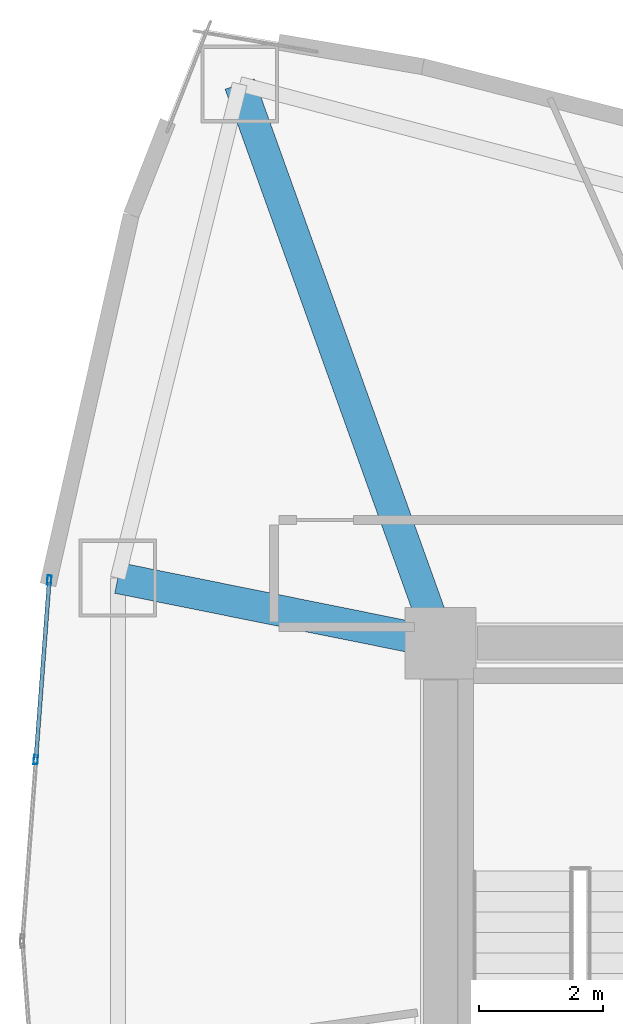
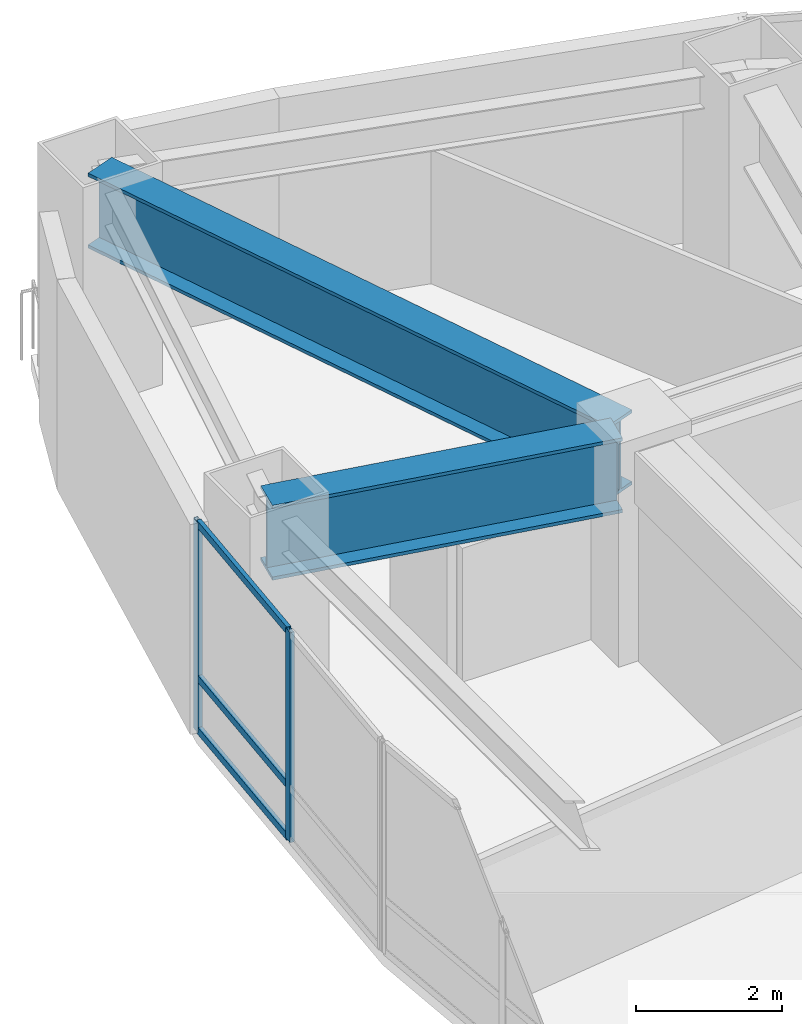
# One storey, part 7 of 17: 5 members, 2 beams, 1 element without a shape of its own.
"""IFC4 building model written with IfcOpenShell, lengths in metres."""

import ifcopenshell
import ifcopenshell.guid

model = None  # the IFC model being written
_history = None  # IfcOwnerHistory: only IFC2X3 demands one
_inside = {}  # id of a spatial element -> (the spatial element, [elements in it])
_under = {}  # id of a project, library or spatial element -> (it, [spatial elements below it])
_declared = {}  # id of a project -> (the project, [libraries it declares])
_typed = {}  # id of a type object -> (the type object, [elements of that type])
_made_of = {}  # id of a material, layer set ... -> (it, [elements and type objects made of it])


def new_model(schema):
    """Start an empty IFC model of exactly this schema.

    Asked for "IFC4X3", IfcOpenShell would pick the latest addendum, in which some entities
    have other attributes; the version numbers below select the first issue.
    IFC2X3 requires an IfcOwnerHistory on every rooted entity: one is made here for all.
    """
    global model, _history
    if schema == "IFC4X3":
        model = ifcopenshell.file(schema_version=(4, 3, 0, 0))
    else:
        model = ifcopenshell.file(schema=schema)
    _inside.clear()
    _under.clear()
    _declared.clear()
    _typed.clear()
    _made_of.clear()
    _history = None
    if model.schema == "IFC2X3":
        org = make("IfcOrganization", Name="unknown")
        user = make(
            "IfcPersonAndOrganization",
            ThePerson=make("IfcPerson", FamilyName="unknown"),
            TheOrganization=org,
        )
        app = make(
            "IfcApplication",
            ApplicationDeveloper=org,
            Version="unknown",
            ApplicationFullName="unknown",
            ApplicationIdentifier="unknown",
        )
        _history = make(
            "IfcOwnerHistory",
            OwningUser=user,
            OwningApplication=app,
            ChangeAction="ADDED",
            CreationDate=0,
        )
    return model


def make(cls, **values):
    """One entity of the class cls with the attributes given. An attribute that is None is left unset."""
    return model.create_entity(
        cls, **{name: value for name, value in values.items() if value is not None}
    )


def rooted(cls, **values):
    """An entity with a GlobalId (a new one), such as an element, a storey or a relation."""
    return make(cls, GlobalId=ifcopenshell.guid.new(), OwnerHistory=_history, **values)


def si_unit(unit_type, name, prefix=None):
    """IfcSIUnit, for example si_unit("LENGTHUNIT", "METRE", prefix="MILLI")."""
    return make("IfcSIUnit", UnitType=unit_type, Prefix=prefix, Name=name)


def assignment(units):
    """IfcUnitAssignment: the units of a project."""
    return None if units is None else make("IfcUnitAssignment", Units=units)


def point(xyz):
    """IfcCartesianPoint."""
    return None if xyz is None else make("IfcCartesianPoint", Coordinates=xyz)


def direction(xyz):
    """IfcDirection."""
    return None if xyz is None else make("IfcDirection", DirectionRatios=xyz)


def frame(location, z_axis=None, x_axis=None):
    """IfcAxis2Placement3D, a coordinate frame: its origin and axes. An axis left out is left unset."""
    return make(
        "IfcAxis2Placement3D",
        Location=point(location),
        Axis=direction(z_axis),
        RefDirection=direction(x_axis),
    )


def frame_2d(location, x_axis=None):
    """IfcAxis2Placement2D, a coordinate frame in the plane: its origin and x axis."""
    return make(
        "IfcAxis2Placement2D", Location=point(location), RefDirection=direction(x_axis)
    )


def origin():
    """The frame at (0, 0, 0) with its axes left unset."""
    return frame((0.0, 0.0, 0.0))


def origin_2d():
    """The frame at (0, 0) in the plane with its x axis left unset."""
    return frame_2d((0.0, 0.0))


def place(relative_to, where):
    """IfcLocalPlacement: puts the frame where relative to a parent placement (None: the world)."""
    return make(
        "IfcLocalPlacement", PlacementRelTo=relative_to, RelativePlacement=where
    )


def context(
    kind, dimensions, precision=None, world=None, true_north=None, identifier=None
):
    """IfcGeometricRepresentationContext, for example the 3D "Model" context."""
    return make(
        "IfcGeometricRepresentationContext",
        ContextIdentifier=identifier,
        ContextType=kind,
        CoordinateSpaceDimension=dimensions,
        Precision=precision,
        WorldCoordinateSystem=world,
        TrueNorth=true_north,
    )


def subcontext(parent, identifier, kind, view, scale=None):
    """IfcGeometricRepresentationSubContext, for example "Body" below "Model"."""
    return make(
        "IfcGeometricRepresentationSubContext",
        ContextIdentifier=identifier,
        ContextType=kind,
        ParentContext=parent,
        TargetScale=scale,
        TargetView=view,
    )


def project(units=None, contexts=None):
    """IfcProject with its units and contexts."""
    return rooted(
        "IfcProject",
        Name="project",
        RepresentationContexts=contexts,
        UnitsInContext=assignment(units),
    )


def spatial(cls, under=None, at=None, **own):
    """A site, building, storey or space (cls), placed at a placement, below another one or the project."""
    s = rooted(cls, ObjectPlacement=at, **own)
    if under is not None:
        _under.setdefault(under.id(), (under, []))[1].append(s)
    return s


def profile(cls, at=None, kind="AREA", **sizes):
    """A parametric profile (cls). Its sizes go by their IFC names, for example OverallWidth=200.0."""
    return make(cls, ProfileType=kind, Position=at, **sizes)


def hollow_rectangle(**sizes):
    """IfcRectangleHollowProfileDef."""
    return profile("IfcRectangleHollowProfileDef", **sizes)


def i_section(**sizes):
    """IfcIShapeProfileDef."""
    return profile("IfcIShapeProfileDef", **sizes)


def extrude(swept, where, along, depth):
    """IfcExtrudedAreaSolid: the profile swept, set in the frame where, extruded along a direction by depth."""
    return make(
        "IfcExtrudedAreaSolid",
        SweptArea=swept,
        Position=where,
        ExtrudedDirection=direction(along),
        Depth=depth,
    )


def shape(context_of_items, identifier, shape_type, items):
    """IfcShapeRepresentation: the items that make up one representation, for example the "Body"."""
    return make(
        "IfcShapeRepresentation",
        ContextOfItems=context_of_items,
        RepresentationIdentifier=identifier,
        RepresentationType=shape_type,
        Items=items,
    )


def material(Name=None, Category=None):
    """IfcMaterial."""
    return make("IfcMaterial", Name=Name, Category=Category)


def layer(
    of_material, thickness, ventilated=None, Name=None, Category=None, Priority=None
):
    """IfcMaterialLayer: one layer of a wall or slab, of a material (None: an air gap)."""
    return make(
        "IfcMaterialLayer",
        Material=of_material,
        LayerThickness=thickness,
        IsVentilated=ventilated,
        Name=Name,
        Category=Category,
        Priority=Priority,
    )


def layer_set(layers, Name=None):
    """IfcMaterialLayerSet."""
    return make("IfcMaterialLayerSet", MaterialLayers=layers, LayerSetName=Name)


def material_profile(
    of_material, cross_section, Name=None, Category=None, Priority=None
):
    """IfcMaterialProfile: a cross section and its material."""
    return make(
        "IfcMaterialProfile",
        Name=Name,
        Material=of_material,
        Profile=cross_section,
        Priority=Priority,
        Category=Category,
    )


def profile_set(profiles, Name=None, composite=None):
    """IfcMaterialProfileSet."""
    return make(
        "IfcMaterialProfileSet",
        Name=Name,
        MaterialProfiles=profiles,
        CompositeProfile=composite,
    )


def made_of(thing, what):
    """Note that an element or type object is made of a material, layer set ...; save() writes the relation."""
    if what is not None:
        _made_of.setdefault(what.id(), (what, []))[1].append(thing)
    return thing


def type_object(cls, material=None, **own):
    """A type object (cls), such as IfcWallType, which elements share."""
    return made_of(rooted(cls, **own), material)


def element(
    cls,
    number,
    at=None,
    inside=None,
    cuts=None,
    type_object=None,
    material=None,
    context=None,
    identifier="Body",
    shape_type=None,
    held_by="IfcProductDefinitionShape",
    body=None,
    shapes=None,
    **own,
):
    """One element of the class cls, such as IfcWall. Its Tag is "e" and its number.

    at: its placement. inside: the storey or other place that contains it. cuts: it is an
    opening in that element (IfcRelVoidsElement). A single representation is given by context,
    identifier, shape_type and body (its items); several are given by shapes. held_by: the class
    of the entity that holds the representations. save() writes the other relations.
    """
    e = rooted(cls, Tag="e%d" % number, ObjectPlacement=at, **own)
    if body is not None:
        shapes = [shape(context, identifier, shape_type, body)]
    if shapes is not None:
        e.Representation = make(held_by, Representations=shapes)
    if inside is not None:
        _inside.setdefault(inside.id(), (inside, []))[1].append(e)
    if cuts is not None:
        rooted(
            "IfcRelVoidsElement", RelatingBuildingElement=cuts, RelatedOpeningElement=e
        )
    if type_object is not None:
        _typed.setdefault(type_object.id(), (type_object, []))[1].append(e)
    return made_of(e, material)


def aggregate(whole, parts):
    """IfcRelAggregates: a whole, such as a stair, and the parts it consists of."""
    return rooted("IfcRelAggregates", RelatingObject=whole, RelatedObjects=parts)


def save(model, path):
    """Write the relations noted so far, then the file.

    IfcRelAggregates (storeys below a building ...), IfcRelContainedInSpatialStructure (elements
    in a storey), IfcRelDefinesByType, IfcRelAssociatesMaterial and IfcRelDeclares: one each for
    every whole, place, type object, material and project.
    """
    for whole, parts in _under.values():
        aggregate(whole, parts)
    for where, things in _inside.values():
        rooted(
            "IfcRelContainedInSpatialStructure",
            RelatedElements=things,
            RelatingStructure=where,
        )
    for kind, things in _typed.values():
        rooted("IfcRelDefinesByType", RelatedObjects=things, RelatingType=kind)
    for what, things in _made_of.values():
        rooted("IfcRelAssociatesMaterial", RelatedObjects=things, RelatingMaterial=what)
    for by, libraries in _declared.values():
        rooted("IfcRelDeclares", RelatingContext=by, RelatedDefinitions=libraries)
    model.write(path)


model = new_model("IFC4")

# Units and contexts
model_context = context("Model", 3, precision=1e-05, world=origin(), true_north=direction((0.0, 1.0)))
body_context = subcontext(model_context, "Body", "Model", "MODEL_VIEW")
ifc_project = project(units=[si_unit("LENGTHUNIT", "METRE"), si_unit("AREAUNIT", "SQUARE_METRE"), si_unit("VOLUMEUNIT", "CUBIC_METRE"), si_unit("PLANEANGLEUNIT", "RADIAN"), si_unit("MASSUNIT", "GRAM", prefix="KILO")], contexts=[model_context])

# Site, building, storey
site_placement = place(None, origin())
site = spatial("IfcSite", under=ifc_project, at=site_placement, CompositionType="ELEMENT")
building_placement = place(site_placement, origin())
building = spatial("IfcBuilding", under=site, at=building_placement, Name="Menara Vayukalpa", CompositionType="ELEMENT")
storey_placement = place(building_placement, frame((0.0, 0.0, 133.739990234375)))
storey = spatial("IfcBuildingStorey", under=building, at=storey_placement, Name="L33", CompositionType="ELEMENT", Elevation=133.739990234375)

# Beams
ifc_material_1 = material(Name="Steel S460", Category="steel")
ifc_material_profile_1 = material_profile(ifc_material_1, i_section(OverallWidth=0.5, OverallDepth=1.25, WebThickness=0.028076171875, FlangeThickness=0.054931640625, at=origin_2d()), Name="WG 1250x500x28x55")
ifc_profile_set_1 = profile_set([ifc_material_profile_1], Name="Steel S460")
beam_type = type_object("IfcBeamType", Name="BM-TG2", PredefinedType="BEAM", material=ifc_profile_set_1)
beam_1_placement = place(storey_placement, frame((17.715576171875, 27.035400390625, 2.875), z_axis=(-0.337975542909, 0.941154892882, 0.0), x_axis=(-0.941154892882, -0.337975542909, 0.0)))
element("IfcBeam", 1, at=beam_1_placement, inside=storey, type_object=beam_type, Name="L33 Primary Radial Girder RG04", PredefinedType="BEAM", context=body_context, shape_type="SweptSolid", body=[
    extrude(i_section(OverallWidth=0.5, OverallDepth=1.25, WebThickness=0.028076171875, FlangeThickness=0.054931640625, at=origin_2d()), origin(), (0.0, 0.0, 1.0), 9.309814453125),
])
beam_2_placement = place(storey_placement, frame((17.554931640625, 26.849365234375, 2.875), z_axis=(-0.980324984906, 0.197390283373, 0.0), x_axis=(-0.197390283373, -0.980324984906, 0.0)))
element("IfcBeam", 2, at=beam_2_placement, inside=storey, type_object=beam_type, Name="L33 Primary Radial Girder RG05", PredefinedType="BEAM", context=body_context, shape_type="SweptSolid", body=[
    extrude(i_section(OverallWidth=0.5, OverallDepth=1.25, WebThickness=0.028076171875, FlangeThickness=0.054931640625, at=origin_2d()), origin(), (0.0, 0.0, 1.0), 5.047607421875),
])

# Curtain wall, members
ifc_material_2 = material(Name="Anodised Terracotta Aluminium Alloy 6063-T6", Category="masonry")
ifc_layer = layer(ifc_material_2, 0.14990234375)
ifc_layer_set = layer_set([ifc_layer], Name="Anodised Terracotta Aluminium Alloy 6063-T6")
curtain_wall_type = type_object("IfcCurtainWallType", Name="CW-CW3", PredefinedType="USERDEFINED", material=ifc_layer_set)
curtain_wall_placement = place(storey_placement, origin())
curtain_wall = element("IfcCurtainWall", 3, at=curtain_wall_placement, inside=storey, type_object=curtain_wall_type, Name="L33 Mid Rise Terracotta Ribbon Curtain Wall CW3 10", ObjectType="UNITISED", PredefinedType="USERDEFINED")
ifc_material_3 = material(Name="Anodised Terracotta Aluminium Alloy 6063-T6", Category="masonry")
ifc_material_profile_2 = material_profile(ifc_material_3, hollow_rectangle(XDim=0.06494140625, YDim=0.14990234375, WallThickness=0.00341796875, at=origin_2d()), Name="ALU 65x150x3.5")
ifc_profile_set_2 = profile_set([ifc_material_profile_2], Name="Anodised Terracotta Aluminium Alloy 6063-T6")
member_type_1 = type_object("IfcMemberType", Name="CWM-CW3", PredefinedType="MULLION", material=ifc_profile_set_2)
member_1_placement = place(storey_placement, frame((11.504150390625, 27.813232421875, 0.0), z_axis=(0.0, 0.0, 1.0), x_axis=(0.997199659745, -0.07478528334, 0.0)))
member_1 = element("IfcMember", 4, at=member_1_placement, type_object=member_type_1, Name="CW3 mullion 1", PredefinedType="MULLION", context=body_context, shape_type="SweptSolid", body=[
    extrude(hollow_rectangle(XDim=0.06494140625, YDim=0.14990234375, WallThickness=0.00341796875, at=origin_2d()), origin(), (0.0, 0.0, 1.0), 3.5),
])
member_2_placement = place(storey_placement, frame((11.287353515625, 24.9228515625, 0.0), z_axis=(0.0, 0.0, 1.0), x_axis=(0.997199659745, -0.07478528334, 0.0)))
member_2 = element("IfcMember", 5, at=member_2_placement, type_object=member_type_1, Name="CW3 mullion 2", PredefinedType="MULLION", context=body_context, shape_type="SweptSolid", body=[
    extrude(hollow_rectangle(XDim=0.06494140625, YDim=0.14990234375, WallThickness=0.00341796875, at=origin_2d()), origin(), (0.0, 0.0, 1.0), 3.5),
])
ifc_material_4 = material(Name="Anodised Terracotta Aluminium Alloy 6063-T6", Category="masonry")
ifc_material_profile_3 = material_profile(ifc_material_4, hollow_rectangle(XDim=0.06494140625, YDim=0.1201171875, WallThickness=0.00341796875, at=origin_2d()), Name="ALU 65x120x3.5")
ifc_profile_set_3 = profile_set([ifc_material_profile_3], Name="Anodised Terracotta Aluminium Alloy 6063-T6")
member_type_2 = type_object("IfcMemberType", Name="CWT-CW3", PredefinedType="USERDEFINED", material=ifc_profile_set_3)
member_3_placement = place(storey_placement, frame((11.501708984375, 27.78076171875, 0.032470703125), z_axis=(-0.074792090342, -0.997199149229, 0.0), x_axis=(0.997199149229, -0.074792090342, 0.0)))
member_3 = element("IfcMember", 6, at=member_3_placement, type_object=member_type_2, Name="CW3 transom 1.1", ObjectType="TRANSOM", PredefinedType="USERDEFINED", context=body_context, shape_type="SweptSolid", body=[
    extrude(hollow_rectangle(XDim=0.06494140625, YDim=0.1201171875, WallThickness=0.00341796875, at=origin_2d()), origin(), (0.0, 0.0, 1.0), 2.83349609375),
])
member_4_placement = place(storey_placement, frame((11.501708984375, 27.78076171875, 0.89990234375), z_axis=(-0.074792090342, -0.997199149229, 0.0), x_axis=(0.997199149229, -0.074792090342, 0.0)))
member_4 = element("IfcMember", 7, at=member_4_placement, type_object=member_type_2, Name="CW3 transom 1.2", ObjectType="TRANSOM", PredefinedType="USERDEFINED", context=body_context, shape_type="SweptSolid", body=[
    extrude(hollow_rectangle(XDim=0.06494140625, YDim=0.1201171875, WallThickness=0.00341796875, at=origin_2d()), origin(), (0.0, 0.0, 1.0), 2.83349609375),
])
member_5_placement = place(storey_placement, frame((11.501708984375, 27.78076171875, 3.467529296875), z_axis=(-0.074792090342, -0.997199149229, 0.0), x_axis=(0.997199149229, -0.074792090342, 0.0)))
member_5 = element("IfcMember", 8, at=member_5_placement, type_object=member_type_2, Name="CW3 transom 1.3", ObjectType="TRANSOM", PredefinedType="USERDEFINED", context=body_context, shape_type="SweptSolid", body=[
    extrude(hollow_rectangle(XDim=0.06494140625, YDim=0.1201171875, WallThickness=0.00341796875, at=origin_2d()), origin(), (0.0, 0.0, 1.0), 2.83349609375),
])
aggregate(curtain_wall, [member_1, member_2, member_3, member_4, member_5])

save(model, "model.ifc")
